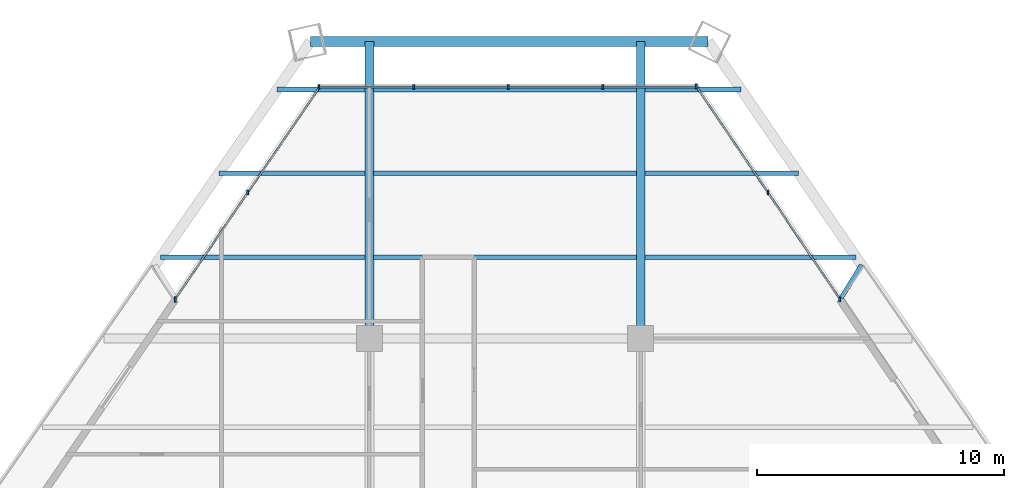
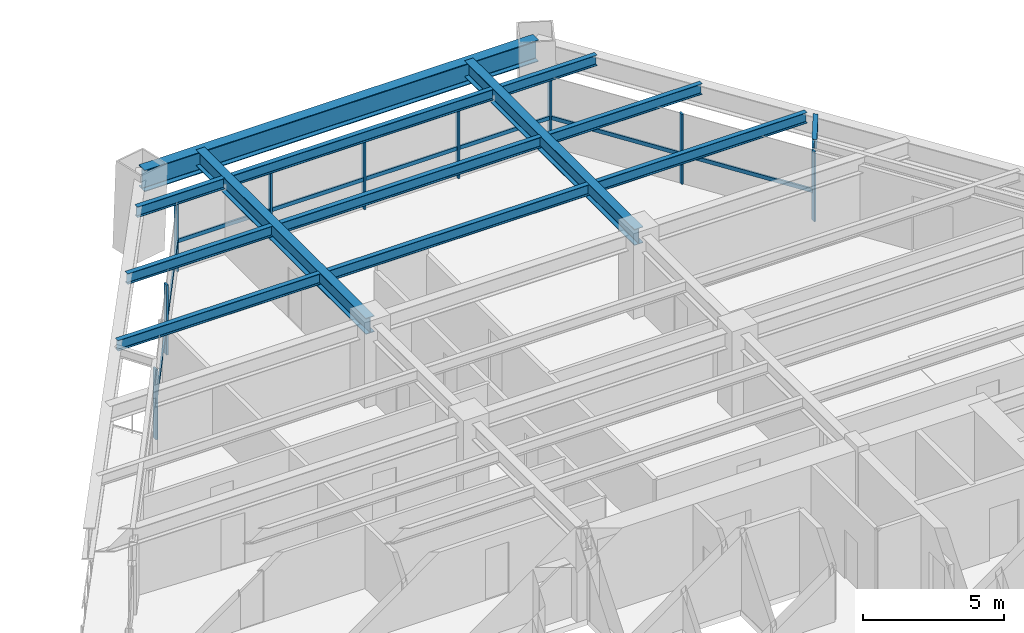
# One storey, part 8 of 14: 18 members, 13 beams, 3 elements without a shape of their own.
"""IFC4 building model written with IfcOpenShell, lengths in metres."""

from ifc_helpers import new_model, si_unit, direction, frame, origin, origin_2d, place, context, subcontext, project, spatial, rectangle, i_section, extrude, source, transform, mapped, material, material_profile, profile_set, type_object, element, aggregate, save


model = new_model("IFC4")

# Units and contexts
model_context = context("Model", 3, precision=1e-05, world=origin(), true_north=direction((0.0, 1.0)))
body_context = subcontext(model_context, "Body", "Model", "MODEL_VIEW")
ifc_project = project(units=[si_unit("LENGTHUNIT", "METRE"), si_unit("AREAUNIT", "SQUARE_METRE"), si_unit("VOLUMEUNIT", "CUBIC_METRE"), si_unit("PLANEANGLEUNIT", "RADIAN"), si_unit("MASSUNIT", "GRAM", prefix="KILO")], contexts=[model_context])

# Site, building, storey
site_placement = place(None, origin())
site = spatial("IfcSite", under=ifc_project, at=site_placement, CompositionType="ELEMENT")
building_placement = place(site_placement, origin())
building = spatial("IfcBuilding", under=site, at=building_placement, Name="Varnakhor Terracotta Tower", CompositionType="ELEMENT")
storey_placement = place(building_placement, frame((0.0, 0.0, 38.60009765625)))
storey = spatial("IfcBuildingStorey", under=building, at=storey_placement, Name="L08", CompositionType="ELEMENT", Elevation=38.60009765625)

# Beams
ifc_material_1 = material(Name="Steel S355", Category="steel")
ifc_material_profile_1 = material_profile(ifc_material_1, i_section(OverallWidth=0.19189453125, OverallDepth=0.462890625, WebThickness=0.010498046875, FlangeThickness=0.017578125, FilletRadius=0.01806640625, at=origin_2d()), Name="W18X60")
ifc_profile_set_1 = profile_set([ifc_material_profile_1], Name="Steel S355")
beam_type_1 = type_object("IfcBeamType", Name="JST-W18X60", PredefinedType="JOIST", material=ifc_profile_set_1)
shared_shape_1 = source(origin(), body_context, "Body", "SweptSolid", [
    extrude(i_section(OverallWidth=0.19189453125, OverallDepth=0.462890625, WebThickness=0.010498046875, FlangeThickness=0.017578125, FilletRadius=0.01806640625, at=origin_2d()), origin(), (0.0, 0.0, 1.0), 10.65283203125),
])
for number, where, z_axis, x_axis, name in (
    (1, (-5.326416015625, 34.800048828125, 3.218505859375), (1.0, 0.0, 0.0), (0.0, 1.0, 0.0), "L08 Composite Floor Joist 7-2"),
    (2, (-5.326416015625, 38.199951171875, 3.218505859375), (1.0, 0.0, 0.0), (0.0, 1.0, 0.0), "L08 Composite Floor Joist 8-2"),
    (3, (-5.326416015625, 41.60009765625, 3.218505859375), (1.0, 0.0, 0.0), (0.0, 1.0, 0.0), "L08 Composite Floor Joist 9-2"),
):
    element("IfcBeam", number, at=place(storey_placement, frame(where, z_axis=z_axis, x_axis=x_axis)), inside=storey, type_object=beam_type_1, Name=name, PredefinedType="JOIST", context=body_context, shape_type="MappedRepresentation", body=[
        mapped(shared_shape_1, transform((0.0, 0.0, 0.0), scale=1.0)),
    ])
ifc_material_profile_2 = material_profile(ifc_material_1, i_section(OverallWidth=0.41796875, OverallDepth=0.927001953125, WebThickness=0.01904296875, FlangeThickness=0.031982421875, FilletRadius=0.01806640625, at=origin_2d()), Name="W36X231")
ifc_profile_set_2 = profile_set([ifc_material_profile_2], Name="Steel S355")
beam_type_2 = type_object("IfcBeamType", Name="BM-W36X231", PredefinedType="BEAM", material=ifc_profile_set_2)
shared_shape_2 = source(origin(), body_context, "Body", "SweptSolid", [
    extrude(i_section(OverallWidth=0.41796875, OverallDepth=0.927001953125, WebThickness=0.01904296875, FlangeThickness=0.031982421875, FilletRadius=0.01806640625, at=origin_2d()), origin(), (0.0, 0.0, 1.0), 16.126708984375),
])
beam_1_placement = place(storey_placement, frame((8.234619140625, 43.54736328125, 2.986328125), z_axis=(-1.0, 0.0, 0.0), x_axis=(0.0, -1.0, 0.0)))
element("IfcBeam", 4, at=beam_1_placement, inside=storey, type_object=beam_type_2, Name="L08 Perimeter Spandrel 5", PredefinedType="BEAM", context=body_context, shape_type="MappedRepresentation", body=[
    mapped(shared_shape_2, transform((0.0, 0.0, 0.0), scale=1.0)),
])
ifc_material_profile_3 = material_profile(ifc_material_1, i_section(OverallWidth=0.35498046875, OverallDepth=0.695068359375, WebThickness=0.014892578125, FlangeThickness=0.02490234375, FilletRadius=0.01806640625, at=origin_2d()), Name="W27X146")
ifc_profile_set_3 = profile_set([ifc_material_profile_3], Name="Steel S355")
beam_type_3 = type_object("IfcBeamType", Name="BM-W27X146", PredefinedType="BEAM", material=ifc_profile_set_3)
shared_shape_3 = source(origin(), body_context, "Body", "SweptSolid", [
    extrude(i_section(OverallWidth=0.35498046875, OverallDepth=0.695068359375, WebThickness=0.014892578125, FlangeThickness=0.02490234375, FilletRadius=0.01806640625, at=origin_2d()), origin(), (0.0, 0.0, 1.0), 12.04736328125),
])
for number, where, z_axis, x_axis, name in (
    (5, (-5.5, 31.5, 3.102294921875), (0.0, 1.0, 0.0), (-1.0, 0.0, 0.0), "L08 Primary Girder NS3-W"),
    (6, (5.5, 31.5, 3.102294921875), (0.0, 1.0, 0.0), (-1.0, 0.0, 0.0), "L08 Primary Girder NS3-E"),
):
    element("IfcBeam", number, at=place(storey_placement, frame(where, z_axis=z_axis, x_axis=x_axis)), inside=storey, type_object=beam_type_3, Name=name, PredefinedType="BEAM", context=body_context, shape_type="MappedRepresentation", body=[
        mapped(shared_shape_3, transform((0.0, 0.0, 0.0), scale=1.0)),
    ])
shared_shape_4 = source(origin(), body_context, "Body", "SweptSolid", [
    extrude(i_section(OverallWidth=0.19189453125, OverallDepth=0.462890625, WebThickness=0.010498046875, FlangeThickness=0.017578125, FilletRadius=0.01806640625, at=origin_2d()), origin(), (0.0, 0.0, 1.0), 8.297119140625),
])
beam_2_placement = place(storey_placement, frame((-13.970703125, 34.800048828125, 3.218505859375), z_axis=(1.0, 0.0, 0.0), x_axis=(0.0, 1.0, 0.0)))
element("IfcBeam", 7, at=beam_2_placement, inside=storey, type_object=beam_type_1, Name="L08 Composite Floor Joist 7-1", PredefinedType="JOIST", context=body_context, shape_type="MappedRepresentation", body=[
    mapped(shared_shape_4, transform((0.0, 0.0, 0.0), scale=1.0)),
])
shared_shape_5 = source(origin(), body_context, "Body", "SweptSolid", [
    extrude(i_section(OverallWidth=0.19189453125, OverallDepth=0.462890625, WebThickness=0.010498046875, FlangeThickness=0.017578125, FilletRadius=0.01806640625, at=origin_2d()), origin(), (0.0, 0.0, 1.0), 8.57080078125),
])
beam_3_placement = place(storey_placement, frame((5.673583984375, 34.800048828125, 3.218505859375), z_axis=(1.0, 0.0, 0.0), x_axis=(0.0, 1.0, 0.0)))
element("IfcBeam", 8, at=beam_3_placement, inside=storey, type_object=beam_type_1, Name="L08 Composite Floor Joist 7-3", PredefinedType="JOIST", context=body_context, shape_type="MappedRepresentation", body=[
    mapped(shared_shape_5, transform((0.0, 0.0, 0.0), scale=1.0)),
])
shared_shape_6 = source(origin(), body_context, "Body", "SweptSolid", [
    extrude(i_section(OverallWidth=0.19189453125, OverallDepth=0.462890625, WebThickness=0.010498046875, FlangeThickness=0.017578125, FilletRadius=0.01806640625, at=origin_2d()), origin(), (0.0, 0.0, 1.0), 5.934326171875),
])
beam_4_placement = place(storey_placement, frame((-11.60791015625, 38.199951171875, 3.218505859375), z_axis=(1.0, 0.0, 0.0), x_axis=(0.0, 1.0, 0.0)))
element("IfcBeam", 9, at=beam_4_placement, inside=storey, type_object=beam_type_1, Name="L08 Composite Floor Joist 8-1", PredefinedType="JOIST", context=body_context, shape_type="MappedRepresentation", body=[
    mapped(shared_shape_6, transform((0.0, 0.0, 0.0), scale=1.0)),
])
shared_shape_7 = source(origin(), body_context, "Body", "SweptSolid", [
    extrude(i_section(OverallWidth=0.19189453125, OverallDepth=0.462890625, WebThickness=0.010498046875, FlangeThickness=0.017578125, FilletRadius=0.01806640625, at=origin_2d()), origin(), (0.0, 0.0, 1.0), 6.23486328125),
])
beam_5_placement = place(storey_placement, frame((5.673583984375, 38.199951171875, 3.218505859375), z_axis=(1.0, 0.0, 0.0), x_axis=(0.0, 1.0, 0.0)))
element("IfcBeam", 10, at=beam_5_placement, inside=storey, type_object=beam_type_1, Name="L08 Composite Floor Joist 8-3", PredefinedType="JOIST", context=body_context, shape_type="MappedRepresentation", body=[
    mapped(shared_shape_7, transform((0.0, 0.0, 0.0), scale=1.0)),
])
shared_shape_8 = source(origin(), body_context, "Body", "SweptSolid", [
    extrude(i_section(OverallWidth=0.19189453125, OverallDepth=0.462890625, WebThickness=0.010498046875, FlangeThickness=0.017578125, FilletRadius=0.01806640625, at=origin_2d()), origin(), (0.0, 0.0, 1.0), 3.57177734375),
])
beam_6_placement = place(storey_placement, frame((-9.245361328125, 41.60009765625, 3.218505859375), z_axis=(1.0, 0.0, 0.0), x_axis=(0.0, 1.0, 0.0)))
element("IfcBeam", 11, at=beam_6_placement, inside=storey, type_object=beam_type_1, Name="L08 Composite Floor Joist 9-1", PredefinedType="JOIST", context=body_context, shape_type="MappedRepresentation", body=[
    mapped(shared_shape_8, transform((0.0, 0.0, 0.0), scale=1.0)),
])
shared_shape_9 = source(origin(), body_context, "Body", "SweptSolid", [
    extrude(i_section(OverallWidth=0.19189453125, OverallDepth=0.462890625, WebThickness=0.010498046875, FlangeThickness=0.017578125, FilletRadius=0.01806640625, at=origin_2d()), origin(), (0.0, 0.0, 1.0), 3.89892578125),
])
beam_7_placement = place(storey_placement, frame((5.673583984375, 41.60009765625, 3.218505859375), z_axis=(1.0, 0.0, 0.0), x_axis=(0.0, 1.0, 0.0)))
element("IfcBeam", 12, at=beam_7_placement, inside=storey, type_object=beam_type_1, Name="L08 Composite Floor Joist 9-3", PredefinedType="JOIST", context=body_context, shape_type="MappedRepresentation", body=[
    mapped(shared_shape_9, transform((0.0, 0.0, 0.0), scale=1.0)),
])

# Curtain wall, members
ifc_material_2 = material(Name="Anodised Aluminium Curtain Wall System", Category="aluminium")
curtain_wall_type = type_object("IfcCurtainWallType", Name="CW-SYS-LOW-OFFICE", PredefinedType="NOTDEFINED", material=ifc_material_2)
curtain_wall_1_placement = place(storey_placement, origin())
curtain_wall_1 = element("IfcCurtainWall", 13, at=curtain_wall_1_placement, inside=storey, type_object=curtain_wall_type, Name="L08 W Facet Curtain Wall 2", PredefinedType="NOTDEFINED")
ifc_material_3 = material(Name="Anodised Aluminium 6063-T6", Category="aluminium")
ifc_material_profile_4 = material_profile(ifc_material_3, rectangle(XDim=0.074951171875, YDim=0.18505859375, at=origin_2d()), Name="ALU MULLION 75x185")
ifc_profile_set_4 = profile_set([ifc_material_profile_4], Name="Anodised Aluminium 6063-T6")
member_type_1 = type_object("IfcMemberType", Name="CWM-02", PredefinedType="MULLION", material=ifc_profile_set_4)
shared_shape_10 = source(origin(), body_context, "Body", "SweptSolid", [
    extrude(rectangle(XDim=0.074951171875, YDim=0.18505859375, at=origin_2d()), origin(), (0.0, 0.0, 1.0), 3.02978515625),
])
member_1_placement = place(storey_placement, frame((-13.372314453125, 33.107666015625, 0.0), z_axis=(0.0, 0.0, 1.0), x_axis=(1.0, 0.0, 0.0)))
member_1 = element("IfcMember", 14, at=member_1_placement, type_object=member_type_1, Name="L08 W Facet Curtain Wall 2 Mullion 1", PredefinedType="MULLION", context=body_context, shape_type="MappedRepresentation", body=[
    mapped(shared_shape_10, transform((0.0, 0.0, 0.0), scale=1.0)),
])
member_2_placement = place(storey_placement, frame((-10.43310546875, 37.418701171875, 0.0), z_axis=(0.0, 0.0, 1.0), x_axis=(1.0, 0.0, 0.0)))
member_2 = element("IfcMember", 15, at=member_2_placement, type_object=member_type_1, Name="L08 W Facet Curtain Wall 2 Mullion 2", PredefinedType="MULLION", context=body_context, shape_type="MappedRepresentation", body=[
    mapped(shared_shape_10, transform((0.0, 0.0, 0.0), scale=1.0)),
])
member_3_placement = place(storey_placement, frame((-13.372802734375, 33.071533203125, 0.0), z_axis=(0.0, 0.0, 1.0), x_axis=(1.0, 0.0, 0.0)))
member_3 = element("IfcMember", 16, at=member_3_placement, type_object=member_type_1, Name="L08 W Loggia Jamb Closure Mullion 2", PredefinedType="MULLION", context=body_context, shape_type="MappedRepresentation", body=[
    mapped(shared_shape_10, transform((0.0, 0.0, 0.0), scale=1.0)),
])

curtain_wall_2_placement = place(storey_placement, origin())
curtain_wall_2 = element("IfcCurtainWall", 17, at=curtain_wall_2_placement, inside=storey, type_object=curtain_wall_type, Name="L08 Facet Curtain Wall 2", PredefinedType="NOTDEFINED")
member_4_placement = place(storey_placement, frame((-7.54638671875, 41.701904296875, 0.0), z_axis=(0.0, 0.0, 1.0), x_axis=(1.0, 0.0, 0.0)))
member_4 = element("IfcMember", 18, at=member_4_placement, type_object=member_type_1, Name="L08 Facet Curtain Wall 2 Mullion 1", PredefinedType="MULLION", context=body_context, shape_type="MappedRepresentation", body=[
    mapped(shared_shape_10, transform((0.0, 0.0, 0.0), scale=1.0)),
])
member_5_placement = place(storey_placement, frame((-3.70849609375, 41.701904296875, 0.0), z_axis=(0.0, 0.0, 1.0), x_axis=(1.0, 0.0, 0.0)))
member_5 = element("IfcMember", 19, at=member_5_placement, type_object=member_type_1, Name="L08 Facet Curtain Wall 2 Mullion 2", PredefinedType="MULLION", context=body_context, shape_type="MappedRepresentation", body=[
    mapped(shared_shape_10, transform((0.0, 0.0, 0.0), scale=1.0)),
])
member_6_placement = place(storey_placement, frame((0.129150390625, 41.701904296875, 0.0), z_axis=(0.0, 0.0, 1.0), x_axis=(1.0, 0.0, 0.0)))
member_6 = element("IfcMember", 20, at=member_6_placement, type_object=member_type_1, Name="L08 Facet Curtain Wall 2 Mullion 3", PredefinedType="MULLION", context=body_context, shape_type="MappedRepresentation", body=[
    mapped(shared_shape_10, transform((0.0, 0.0, 0.0), scale=1.0)),
])
member_7_placement = place(storey_placement, frame((3.966796875, 41.701904296875, 0.0), z_axis=(0.0, 0.0, 1.0), x_axis=(1.0, 0.0, 0.0)))
member_7 = element("IfcMember", 21, at=member_7_placement, type_object=member_type_1, Name="L08 Facet Curtain Wall 2 Mullion 4", PredefinedType="MULLION", context=body_context, shape_type="MappedRepresentation", body=[
    mapped(shared_shape_10, transform((0.0, 0.0, 0.0), scale=1.0)),
])

curtain_wall_3_placement = place(storey_placement, origin())
curtain_wall_3 = element("IfcCurtainWall", 22, at=curtain_wall_3_placement, inside=storey, type_object=curtain_wall_type, Name="L08 E Facet Curtain Wall 1", PredefinedType="NOTDEFINED")
member_8_placement = place(storey_placement, frame((7.751953125, 41.72998046875, 0.0), z_axis=(0.0, 0.0, 1.0), x_axis=(1.0, 0.0, 0.0)))
member_8 = element("IfcMember", 23, at=member_8_placement, type_object=member_type_1, Name="L08 E Facet Curtain Wall 1 Mullion 1", PredefinedType="MULLION", context=body_context, shape_type="MappedRepresentation", body=[
    mapped(shared_shape_10, transform((0.0, 0.0, 0.0), scale=1.0)),
])
member_9_placement = place(storey_placement, frame((10.66259765625, 37.421875, 0.0), z_axis=(0.0, 0.0, 1.0), x_axis=(1.0, 0.0, 0.0)))
member_9 = element("IfcMember", 24, at=member_9_placement, type_object=member_type_1, Name="L08 E Facet Curtain Wall 1 Mullion 2", PredefinedType="MULLION", context=body_context, shape_type="MappedRepresentation", body=[
    mapped(shared_shape_10, transform((0.0, 0.0, 0.0), scale=1.0)),
])
member_10_placement = place(storey_placement, frame((13.5732421875, 33.077880859375, 0.0), z_axis=(0.0, 0.0, 1.0), x_axis=(1.0, 0.0, 0.0)))
member_10 = element("IfcMember", 25, at=member_10_placement, type_object=member_type_1, Name="L08 E Loggia Jamb Closure Mullion 1", PredefinedType="MULLION", context=body_context, shape_type="MappedRepresentation", body=[
    mapped(shared_shape_10, transform((0.0, 0.0, 0.0), scale=1.0)),
])

# Member
ifc_material_profile_5 = material_profile(ifc_material_3, rectangle(XDim=0.074951171875, YDim=0.1650390625, at=origin_2d()), Name="ALU TRANSOM 75x165")
ifc_profile_set_5 = profile_set([ifc_material_profile_5], Name="Anodised Aluminium 6063-T6")
member_type_2 = type_object("IfcMemberType", Name="CWT-02", PredefinedType="USERDEFINED", material=ifc_profile_set_5)
shared_shape_11 = source(origin(), body_context, "Body", "SweptSolid", [
    extrude(rectangle(XDim=0.074951171875, YDim=0.1650390625, at=origin_2d()), origin(), (0.0, 0.0, 1.0), 5.2177734375),
])
member_11_placement = place(storey_placement, frame((-13.372314453125, 33.107666015625, 1.2724609375), z_axis=(0.563319401554, 0.826239221916, 0.0), x_axis=(-0.826239221916, 0.563319401554, 0.0)))
member_11 = element("IfcMember", 26, at=member_11_placement, type_object=member_type_2, Name="L08 W Facet Curtain Wall 2 Transom 1", ObjectType="TRANSOM", PredefinedType="USERDEFINED", context=body_context, shape_type="MappedRepresentation", body=[
    mapped(shared_shape_11, transform((0.0, 0.0, 0.0), scale=1.0)),
])

shared_shape_12 = source(origin(), body_context, "Body", "SweptSolid", [
    extrude(rectangle(XDim=0.074951171875, YDim=0.1650390625, at=origin_2d()), origin(), (0.0, 0.0, 1.0), 5.21728515625),
])
member_12_placement = place(storey_placement, frame((-10.43310546875, 37.418701171875, 1.2724609375), z_axis=(0.563309236177, 0.826246152449, 0.0), x_axis=(-0.826246152449, 0.563309236177, 0.0)))
member_12 = element("IfcMember", 27, at=member_12_placement, type_object=member_type_2, Name="L08 W Facet Curtain Wall 2 Transom 2", ObjectType="TRANSOM", PredefinedType="USERDEFINED", context=body_context, shape_type="MappedRepresentation", body=[
    mapped(shared_shape_12, transform((0.0, 0.0, 0.0), scale=1.0)),
])

aggregate(curtain_wall_1, [member_1, member_11, member_2, member_12, member_3])

shared_shape_13 = source(origin(), body_context, "Body", "SweptSolid", [
    extrude(rectangle(XDim=0.074951171875, YDim=0.1650390625, at=origin_2d()), origin(), (0.0, 0.0, 1.0), 3.837890625),
])
member_13_placement = place(storey_placement, frame((-7.54638671875, 41.701904296875, 1.2724609375), z_axis=(1.0, 0.0, 0.0), x_axis=(0.0, 1.0, 0.0)))
member_13 = element("IfcMember", 28, at=member_13_placement, type_object=member_type_2, Name="L08 Facet Curtain Wall 2 Transom 1", ObjectType="TRANSOM", PredefinedType="USERDEFINED", context=body_context, shape_type="MappedRepresentation", body=[
    mapped(shared_shape_13, transform((0.0, 0.0, 0.0), scale=1.0)),
])

member_14_placement = place(storey_placement, frame((3.966796875, 41.701904296875, 1.2724609375), z_axis=(1.0, 0.0, 0.0), x_axis=(0.0, 1.0, 0.0)))
member_14 = element("IfcMember", 29, at=member_14_placement, type_object=member_type_2, Name="L08 Facet Curtain Wall 2 Transom 4", ObjectType="TRANSOM", PredefinedType="USERDEFINED", context=body_context, shape_type="MappedRepresentation", body=[
    mapped(shared_shape_13, transform((0.0, 0.0, 0.0), scale=1.0)),
])

shared_shape_14 = source(origin(), body_context, "Body", "SweptSolid", [
    extrude(rectangle(XDim=0.074951171875, YDim=0.1650390625, at=origin_2d()), origin(), (0.0, 0.0, 1.0), 3.837646484375),
])
member_15_placement = place(storey_placement, frame((-3.70849609375, 41.701904296875, 1.2724609375), z_axis=(1.0, 0.0, 0.0), x_axis=(0.0, 1.0, 0.0)))
member_15 = element("IfcMember", 30, at=member_15_placement, type_object=member_type_2, Name="L08 Facet Curtain Wall 2 Transom 2", ObjectType="TRANSOM", PredefinedType="USERDEFINED", context=body_context, shape_type="MappedRepresentation", body=[
    mapped(shared_shape_14, transform((0.0, 0.0, 0.0), scale=1.0)),
])

member_16_placement = place(storey_placement, frame((0.129150390625, 41.701904296875, 1.2724609375), z_axis=(1.0, 0.0, 0.0), x_axis=(0.0, 1.0, 0.0)))
member_16 = element("IfcMember", 31, at=member_16_placement, type_object=member_type_2, Name="L08 Facet Curtain Wall 2 Transom 3", ObjectType="TRANSOM", PredefinedType="USERDEFINED", context=body_context, shape_type="MappedRepresentation", body=[
    mapped(shared_shape_14, transform((0.0, 0.0, 0.0), scale=1.0)),
])

aggregate(curtain_wall_2, [member_4, member_13, member_5, member_15, member_6, member_16, member_7, member_14])

shared_shape_15 = source(origin(), body_context, "Body", "SweptSolid", [
    extrude(rectangle(XDim=0.074951171875, YDim=0.1650390625, at=origin_2d()), origin(), (0.0, 0.0, 1.0), 5.19921875),
])
member_17_placement = place(storey_placement, frame((7.751953125, 41.72998046875, 1.2724609375), z_axis=(0.55982604315, -0.828610162508, 0.0), x_axis=(0.828610162508, 0.55982604315, 0.0)))
member_17 = element("IfcMember", 32, at=member_17_placement, type_object=member_type_2, Name="L08 E Facet Curtain Wall 1 Transom 1", ObjectType="TRANSOM", PredefinedType="USERDEFINED", context=body_context, shape_type="MappedRepresentation", body=[
    mapped(shared_shape_15, transform((0.0, 0.0, 0.0), scale=1.0)),
])

shared_shape_16 = source(origin(), body_context, "Body", "SweptSolid", [
    extrude(rectangle(XDim=0.074951171875, YDim=0.1650390625, at=origin_2d()), origin(), (0.0, 0.0, 1.0), 5.198974609375),
])
member_18_placement = place(storey_placement, frame((10.66259765625, 37.421875, 1.2724609375), z_axis=(0.559793801176, -0.828631944934, 0.0), x_axis=(0.828631944934, 0.559793801176, 0.0)))
member_18 = element("IfcMember", 33, at=member_18_placement, type_object=member_type_2, Name="L08 E Facet Curtain Wall 1 Transom 2", ObjectType="TRANSOM", PredefinedType="USERDEFINED", context=body_context, shape_type="MappedRepresentation", body=[
    mapped(shared_shape_16, transform((0.0, 0.0, 0.0), scale=1.0)),
])

aggregate(curtain_wall_3, [member_8, member_17, member_9, member_18, member_10])

# Beam
ifc_material_profile_6 = material_profile(ifc_material_1, i_section(OverallWidth=0.179931640625, OverallDepth=0.39990234375, WebThickness=0.008544921875, FlangeThickness=0.013427734375, FilletRadius=0.01806640625, at=origin_2d()), Name="IPE400")
ifc_profile_set_6 = profile_set([ifc_material_profile_6], Name="Steel S355")
beam_type_4 = type_object("IfcBeamType", Name="JST-IPE400", PredefinedType="JOIST", material=ifc_profile_set_6)
shared_shape_17 = source(origin(), body_context, "Body", "SweptSolid", [
    extrude(i_section(OverallWidth=0.179931640625, OverallDepth=0.39990234375, WebThickness=0.008544921875, FlangeThickness=0.013427734375, FilletRadius=0.01806640625, at=origin_2d()), origin(), (0.0, 0.0, 1.0), 1.57666015625),
])
beam_8_placement = place(storey_placement, frame((13.633544921875, 33.143798828125, 3.25), z_axis=(0.523846856812, 0.851812462111, 0.0), x_axis=(-0.851812462111, 0.523846856812, 0.0)))
element("IfcBeam", 34, at=beam_8_placement, inside=storey, type_object=beam_type_4, Name="L09 E Loggia Tie Beam 1", PredefinedType="JOIST", context=body_context, shape_type="MappedRepresentation", body=[
    mapped(shared_shape_17, transform((0.0, 0.0, 0.0), scale=1.0)),
])

save(model, "model.ifc")
